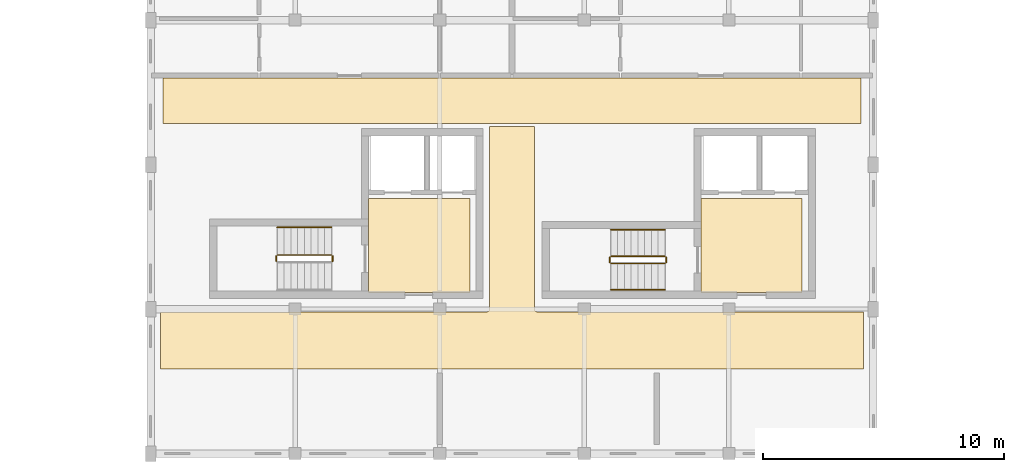
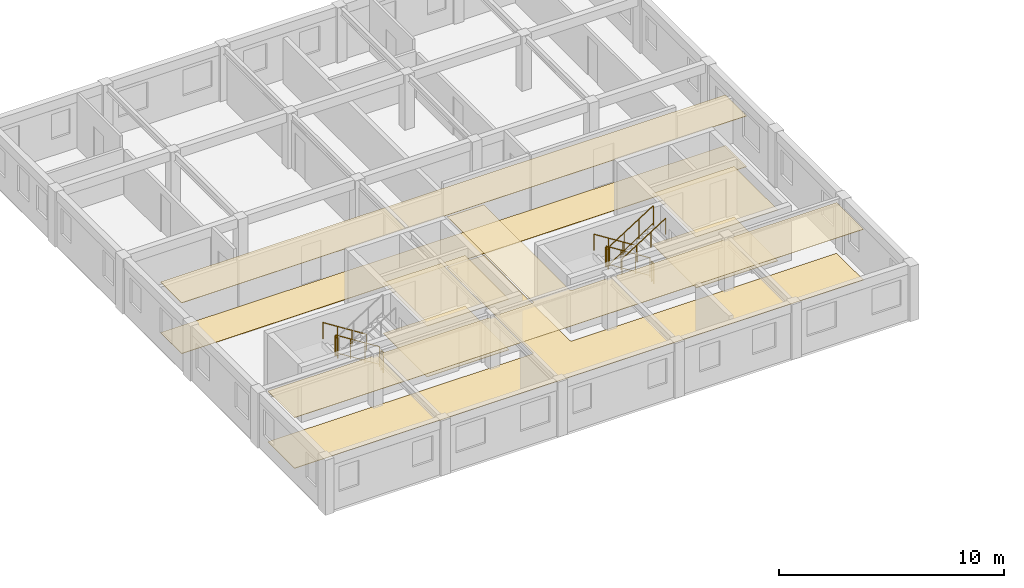
# One storey, part 17 of 17: 10 railings, 8 coverings.
"""IFC4 building model written with IfcOpenShell, lengths in metres."""

from ifc_helpers import new_model, si_unit, direction, frame, origin, origin_2d, place, context, subcontext, project, spatial, polyline, circle, outline, extrude, material, layer, layer_set, type_object, element, save


model = new_model("IFC4")

# Units and contexts
model_context = context("Model", 3, precision=1e-05, world=origin(), true_north=direction((0.0, 1.0)))
body_context = subcontext(model_context, "Body", "Model", "MODEL_VIEW")
ifc_project = project(units=[si_unit("LENGTHUNIT", "METRE"), si_unit("AREAUNIT", "SQUARE_METRE"), si_unit("VOLUMEUNIT", "CUBIC_METRE"), si_unit("PLANEANGLEUNIT", "RADIAN"), si_unit("MASSUNIT", "GRAM", prefix="KILO"), si_unit("POWERUNIT", "WATT"), si_unit("THERMODYNAMICTEMPERATUREUNIT", "KELVIN")], contexts=[model_context])

# Site, building, storey
site_placement = place(None, origin())
site = spatial("IfcSite", under=ifc_project, at=site_placement, CompositionType="ELEMENT")
building_placement = place(site_placement, origin())
building = spatial("IfcBuilding", under=site, at=building_placement, Name="Ruvembo Vaulted Housing Court", CompositionType="ELEMENT")
storey_placement = place(building_placement, frame((0.0, 0.0, 30.10009765625)))
storey = spatial("IfcBuildingStorey", under=building, at=storey_placement, Name="L09", CompositionType="ELEMENT", Elevation=30.10009765625)

# Coverings
ifc_material_1 = material(Name="Perforated Mineral-Fibre Acoustic Tile", Category="gypsum")
ifc_layer_1 = layer(ifc_material_1, 0.02001953125, Name="Perforated Mineral-Fibre Acoustic Tile")
ifc_layer_set_1 = layer_set([ifc_layer_1], Name="Perforated Mineral-Fibre Acoustic Tile")
covering_type_1 = type_object("IfcCoveringType", Name="COV-CEIL-ACOUST", PredefinedType="CEILING", material=ifc_layer_set_1)
covering_1_placement = place(storey_placement, frame((0.0, 0.0, 2.75)))
element("IfcCovering", 1, at=covering_1_placement, inside=storey, type_object=covering_type_1, Name="Protected Core Lobby B1 Ceiling", PredefinedType="CEILING", context=body_context, shape_type="SweptSolid", body=[
    extrude(outline(polyline([(61.25, 94.60009765625), (57.050048828125, 94.60009765625), (57.050048828125, 90.699951171875), (61.25, 90.699951171875), (61.25, 94.60009765625)])), origin(), (0.0, 0.0, 1.0), 0.02001953125),
])
covering_2_placement = place(storey_placement, frame((0.0, 0.0, 2.75)))
element("IfcCovering", 2, at=covering_2_placement, inside=storey, type_object=covering_type_1, Name="Protected Core Lobby B2 Ceiling", PredefinedType="CEILING", context=body_context, shape_type="SweptSolid", body=[
    extrude(outline(polyline([(75.050048828125, 94.60009765625), (70.85009765625, 94.60009765625), (70.85009765625, 90.699951171875), (75.050048828125, 90.699951171875), (75.050048828125, 94.60009765625)])), origin(), (0.0, 0.0, 1.0), 0.02001953125),
])
covering_3_placement = place(storey_placement, frame((0.0, 0.0, 2.75)))
element("IfcCovering", 3, at=covering_3_placement, inside=storey, type_object=covering_type_1, Name="Block B L09 Corridor Ceiling", PredefinedType="CEILING", context=body_context, shape_type="SweptSolid", body=[
    extrude(outline(polyline([(77.590087890625, 87.510009765625), (77.590087890625, 89.889892578125), (64.050048828125, 89.889892578125), (64.039306640625, 89.890380859375), (64.028564453125, 89.89208984375), (64.01806640625, 89.894775390625), (64.0078125, 89.8984375), (63.998046875, 89.903076171875), (63.989013671875, 89.908447265625), (63.980224609375, 89.9150390625), (63.97216796875, 89.922119140625), (63.965087890625, 89.93017578125), (63.95849609375, 89.93896484375), (63.952880859375, 89.947998046875), (63.948486328125, 89.9580078125), (63.944580078125, 89.968017578125), (63.942138671875, 89.978515625), (63.9404296875, 89.9892578125), (63.93994140625, 90.0), (63.93994140625, 97.590087890625), (62.06005859375, 97.590087890625), (62.06005859375, 90.0), (62.0595703125, 89.9892578125), (62.057861328125, 89.978515625), (62.055419921875, 89.968017578125), (62.051513671875, 89.9580078125), (62.047119140625, 89.947998046875), (62.04150390625, 89.93896484375), (62.034912109375, 89.93017578125), (62.02783203125, 89.922119140625), (62.019775390625, 89.9150390625), (62.010986328125, 89.908447265625), (62.001953125, 89.903076171875), (61.9921875, 89.8984375), (61.98193359375, 89.894775390625), (61.971435546875, 89.89208984375), (61.960693359375, 89.890380859375), (61.949951171875, 89.889892578125), (48.409912109375, 89.889892578125), (48.409912109375, 87.510009765625), (77.590087890625, 87.510009765625)])), origin(), (0.0, 0.0, 1.0), 0.02001953125),
])
covering_4_placement = place(storey_placement, frame((0.0, 0.0, 2.75)))
element("IfcCovering", 4, at=covering_4_placement, inside=storey, type_object=covering_type_1, Name="Block B L09 North Sub-Corridor Ceiling", PredefinedType="CEILING", context=body_context, shape_type="SweptSolid", body=[
    extrude(outline(polyline([(48.510009765625, 97.7099609375), (77.489990234375, 97.7099609375), (77.489990234375, 99.590087890625), (48.510009765625, 99.590087890625), (48.510009765625, 97.7099609375)])), origin(), (0.0, 0.0, 1.0), 0.02001953125),
])
ifc_material_2 = material(Name="Polished Cement-Aggregate Terrazzo", Category="stone")
ifc_layer_2 = layer(ifc_material_2, 0.02197265625, Name="Polished Cement-Aggregate Terrazzo")
ifc_layer_set_2 = layer_set([ifc_layer_2], Name="Polished Cement-Aggregate Terrazzo")
covering_type_2 = type_object("IfcCoveringType", Name="COV-FLR-CERAMIC", PredefinedType="FLOORING", material=ifc_layer_set_2)
covering_5_placement = place(storey_placement, origin())
element("IfcCovering", 5, at=covering_5_placement, inside=storey, type_object=covering_type_2, Name="Protected Core Lobby B1 Flooring", PredefinedType="FLOORING", context=body_context, shape_type="SweptSolid", body=[
    extrude(outline(polyline([(61.25, 94.60009765625), (57.050048828125, 94.60009765625), (57.050048828125, 90.699951171875), (61.25, 90.699951171875), (61.25, 94.60009765625)])), origin(), (0.0, 0.0, 1.0), 0.02197265625),
])
covering_6_placement = place(storey_placement, origin())
element("IfcCovering", 6, at=covering_6_placement, inside=storey, type_object=covering_type_2, Name="Protected Core Lobby B2 Flooring", PredefinedType="FLOORING", context=body_context, shape_type="SweptSolid", body=[
    extrude(outline(polyline([(75.050048828125, 94.60009765625), (70.85009765625, 94.60009765625), (70.85009765625, 90.699951171875), (75.050048828125, 90.699951171875), (75.050048828125, 94.60009765625)])), origin(), (0.0, 0.0, 1.0), 0.02197265625),
])
covering_7_placement = place(storey_placement, origin())
element("IfcCovering", 7, at=covering_7_placement, inside=storey, type_object=covering_type_2, Name="Block B L09 Corridor Flooring", PredefinedType="FLOORING", context=body_context, shape_type="SweptSolid", body=[
    extrude(outline(polyline([(77.590087890625, 87.510009765625), (77.590087890625, 89.889892578125), (64.050048828125, 89.889892578125), (64.039306640625, 89.890380859375), (64.028564453125, 89.89208984375), (64.01806640625, 89.894775390625), (64.0078125, 89.8984375), (63.998046875, 89.903076171875), (63.989013671875, 89.908447265625), (63.980224609375, 89.9150390625), (63.97216796875, 89.922119140625), (63.965087890625, 89.93017578125), (63.95849609375, 89.93896484375), (63.952880859375, 89.947998046875), (63.948486328125, 89.9580078125), (63.944580078125, 89.968017578125), (63.942138671875, 89.978515625), (63.9404296875, 89.9892578125), (63.93994140625, 90.0), (63.93994140625, 97.590087890625), (62.06005859375, 97.590087890625), (62.06005859375, 90.0), (62.0595703125, 89.9892578125), (62.057861328125, 89.978515625), (62.055419921875, 89.968017578125), (62.051513671875, 89.9580078125), (62.047119140625, 89.947998046875), (62.04150390625, 89.93896484375), (62.034912109375, 89.93017578125), (62.02783203125, 89.922119140625), (62.019775390625, 89.9150390625), (62.010986328125, 89.908447265625), (62.001953125, 89.903076171875), (61.9921875, 89.8984375), (61.98193359375, 89.894775390625), (61.971435546875, 89.89208984375), (61.960693359375, 89.890380859375), (61.949951171875, 89.889892578125), (48.409912109375, 89.889892578125), (48.409912109375, 87.510009765625), (77.590087890625, 87.510009765625)])), origin(), (0.0, 0.0, 1.0), 0.02197265625),
])
covering_8_placement = place(storey_placement, origin())
element("IfcCovering", 8, at=covering_8_placement, inside=storey, type_object=covering_type_2, Name="Block B L09 North Sub-Corridor Flooring", PredefinedType="FLOORING", context=body_context, shape_type="SweptSolid", body=[
    extrude(outline(polyline([(48.510009765625, 97.7099609375), (77.489990234375, 97.7099609375), (77.489990234375, 99.590087890625), (48.510009765625, 99.590087890625), (48.510009765625, 97.7099609375)])), origin(), (0.0, 0.0, 1.0), 0.02197265625),
])

# Railings
ifc_material_3 = material(Name="Painted Galvanised Steel S275", Category="steel")
ifc_layer_3 = layer(ifc_material_3, 0.06005859375, Name="Painted Galvanised Steel S275")
ifc_layer_set_3 = layer_set([ifc_layer_3], Name="Painted Galvanised Steel S275")
railing_type_1 = type_object("IfcRailingType", Name="RL-STAIR-GR1100", PredefinedType="GUARDRAIL", material=ifc_layer_set_3)
railing_1_placement = place(storey_placement, frame((55.5, 92.25, 0.177734375)))
element("IfcRailing", 9, at=railing_1_placement, inside=storey, type_object=railing_type_1, Name="L09 ST-B1 stair guard 1", PredefinedType="GUARDRAIL", context=body_context, shape_type="SweptSolid", body=[
    extrude(circle(Radius=0.02392578125, at=origin_2d()), frame((0.0, 0.0, 1.076171875), z_axis=(-0.8442293374, 0.0, 0.53598211339), x_axis=(0.0, -1.0, 0.0)), (0.0, 0.0, 1.0), 2.6533203125),
    extrude(circle(Radius=0.01806640625, at=origin_2d()), frame((0.0, 0.0, 0.1201171875), z_axis=(-0.8442293374, 0.0, 0.53598211339), x_axis=(0.0, -1.0, 0.0)), (0.0, 0.0, 1.0), 2.6533203125),
    extrude(circle(Radius=0.02099609375, at=origin_2d()), origin(), (0.0, 0.0, 1.0), 1.052001953125),
    extrude(circle(Radius=0.02099609375, at=origin_2d()), frame((-0.74658203125, 0.0, 0.47412109375)), (0.0, 0.0, 1.0), 1.052001953125),
    extrude(circle(Radius=0.02099609375, at=origin_2d()), frame((-1.493408203125, 0.0, 0.947998046875)), (0.0, 0.0, 1.0), 1.052001953125),
    extrude(circle(Radius=0.02099609375, at=origin_2d()), frame((-2.239990234375, 0.0, 1.422119140625)), (0.0, 0.0, 1.0), 1.052001953125),
])
for number, where, name in (
    (10, (53.2099609375, 92.199951171875, 1.599853515625), "L09 ST-B1 stair guard 2"),
    (11, (55.550048828125, 92.199951171875, 0.0), "L09 ST-B1 stair guard 4"),
):
    element("IfcRailing", number, at=place(storey_placement, frame(where)), inside=storey, type_object=railing_type_1, Name=name, PredefinedType="GUARDRAIL", context=body_context, shape_type="SweptSolid", body=[
        extrude(circle(Radius=0.02392578125, at=origin_2d()), frame((0.0, 0.0, 1.076171875), z_axis=(0.0, -1.0, 0.0), x_axis=(1.0, 0.0, 0.0)), (0.0, 0.0, 1.0), 0.199951171875),
        extrude(circle(Radius=0.01806640625, at=origin_2d()), frame((0.0, 0.0, 0.1201171875), z_axis=(0.0, -1.0, 0.0), x_axis=(1.0, 0.0, 0.0)), (0.0, 0.0, 1.0), 0.199951171875),
        extrude(circle(Radius=0.02099609375, at=origin_2d()), origin(), (0.0, 0.0, 1.0), 1.052001953125),
        extrude(circle(Radius=0.02099609375, at=origin_2d()), frame((0.0, -0.199951171875, 0.0)), (0.0, 0.0, 1.0), 1.052001953125),
    ])
railing_2_placement = place(storey_placement, frame((69.35009765625, 92.199951171875, 0.177734375)))
element("IfcRailing", 12, at=railing_2_placement, inside=storey, type_object=railing_type_1, Name="L09 ST-B2 stair guard 1", PredefinedType="GUARDRAIL", context=body_context, shape_type="SweptSolid", body=[
    extrude(circle(Radius=0.02392578125, at=origin_2d()), frame((0.0, 0.0, 1.076171875), z_axis=(-0.8442293374, 0.0, 0.53598211339), x_axis=(0.0, -1.0, 0.0)), (0.0, 0.0, 1.0), 2.6533203125),
    extrude(circle(Radius=0.01806640625, at=origin_2d()), frame((0.0, 0.0, 0.1201171875), z_axis=(-0.8442293374, 0.0, 0.53598211339), x_axis=(0.0, -1.0, 0.0)), (0.0, 0.0, 1.0), 2.6533203125),
    extrude(circle(Radius=0.02099609375, at=origin_2d()), origin(), (0.0, 0.0, 1.0), 1.052001953125),
    extrude(circle(Radius=0.02099609375, at=origin_2d()), frame((-0.74658203125, 0.0, 0.47412109375)), (0.0, 0.0, 1.0), 1.052001953125),
    extrude(circle(Radius=0.02099609375, at=origin_2d()), frame((-1.493408203125, 0.0, 0.947998046875)), (0.0, 0.0, 1.0), 1.052001953125),
    extrude(circle(Radius=0.02099609375, at=origin_2d()), frame((-2.239990234375, 0.0, 1.422119140625)), (0.0, 0.0, 1.0), 1.052001953125),
])
railing_3_placement = place(storey_placement, frame((67.06005859375, 92.14990234375, 1.599853515625)))
element("IfcRailing", 13, at=railing_3_placement, inside=storey, type_object=railing_type_1, Name="L09 ST-B2 stair guard 2", PredefinedType="GUARDRAIL", context=body_context, shape_type="SweptSolid", body=[
    extrude(circle(Radius=0.02392578125, at=origin_2d()), frame((0.0, 0.0, 1.076171875), z_axis=(0.0, -1.0, 0.0), x_axis=(1.0, 0.0, 0.0)), (0.0, 0.0, 1.0), 0.199951171875),
    extrude(circle(Radius=0.01806640625, at=origin_2d()), frame((0.0, 0.0, 0.1201171875), z_axis=(0.0, -1.0, 0.0), x_axis=(1.0, 0.0, 0.0)), (0.0, 0.0, 1.0), 0.199951171875),
    extrude(circle(Radius=0.02099609375, at=origin_2d()), origin(), (0.0, 0.0, 1.0), 1.052001953125),
    extrude(circle(Radius=0.02099609375, at=origin_2d()), frame((0.0, -0.199951171875, 0.0)), (0.0, 0.0, 1.0), 1.052001953125),
])
railing_4_placement = place(storey_placement, frame((67.110107421875, 91.89990234375, 1.777587890625)))
element("IfcRailing", 14, at=railing_4_placement, inside=storey, type_object=railing_type_1, Name="L09 ST-B2 stair guard 3", PredefinedType="GUARDRAIL", context=body_context, shape_type="SweptSolid", body=[
    extrude(circle(Radius=0.02392578125, at=origin_2d()), frame((0.0, 0.0, 1.076171875), z_axis=(0.84418770128, 0.0, 0.536047689118), x_axis=(0.0, 1.0, 0.0)), (0.0, 0.0, 1.0), 2.6533203125),
    extrude(circle(Radius=0.01806640625, at=origin_2d()), frame((0.0, 0.0, 0.1201171875), z_axis=(0.84418770128, 0.0, 0.536047689118), x_axis=(0.0, 1.0, 0.0)), (0.0, 0.0, 1.0), 2.6533203125),
    extrude(circle(Radius=0.02099609375, at=origin_2d()), origin(), (0.0, 0.0, 1.0), 1.052001953125),
    extrude(circle(Radius=0.02099609375, at=origin_2d()), frame((0.74658203125, 0.0, 0.47412109375)), (0.0, 0.0, 1.0), 1.052001953125),
    extrude(circle(Radius=0.02099609375, at=origin_2d()), frame((1.493408203125, 0.0, 0.9482421875)), (0.0, 0.0, 1.0), 1.052001953125),
    extrude(circle(Radius=0.02099609375, at=origin_2d()), frame((2.239990234375, 0.0, 1.42236328125)), (0.0, 0.0, 1.0), 1.052001953125),
])
railing_5_placement = place(storey_placement, frame((69.39990234375, 92.14990234375, 0.0)))
element("IfcRailing", 15, at=railing_5_placement, inside=storey, type_object=railing_type_1, Name="L09 ST-B2 stair guard 4", PredefinedType="GUARDRAIL", context=body_context, shape_type="SweptSolid", body=[
    extrude(circle(Radius=0.02392578125, at=origin_2d()), frame((0.0, 0.0, 1.076171875), z_axis=(0.0, -1.0, 0.0), x_axis=(1.0, 0.0, 0.0)), (0.0, 0.0, 1.0), 0.199951171875),
    extrude(circle(Radius=0.01806640625, at=origin_2d()), frame((0.0, 0.0, 0.1201171875), z_axis=(0.0, -1.0, 0.0), x_axis=(1.0, 0.0, 0.0)), (0.0, 0.0, 1.0), 0.199951171875),
    extrude(circle(Radius=0.02099609375, at=origin_2d()), origin(), (0.0, 0.0, 1.0), 1.052001953125),
    extrude(circle(Radius=0.02099609375, at=origin_2d()), frame((0.0, -0.199951171875, 0.0)), (0.0, 0.0, 1.0), 1.052001953125),
])
ifc_material_4 = material(Name="Brushed Stainless Steel 304", Category="steel")
ifc_layer_4 = layer(ifc_material_4, 0.050048828125, Name="Brushed Stainless Steel 304")
ifc_layer_set_4 = layer_set([ifc_layer_4], Name="Brushed Stainless Steel 304")
railing_type_2 = type_object("IfcRailingType", Name="RL-STAIR-HR920", PredefinedType="HANDRAIL", material=ifc_layer_set_4)
for number, where, name in (
    (16, (55.5, 93.39990234375, 0.359130859375), "L09 ST-B1 stair handrail 1"),
    (17, (69.35009765625, 93.300048828125, 0.359130859375), "L09 ST-B2 stair handrail 1"),
):
    element("IfcRailing", number, at=place(storey_placement, frame(where)), inside=storey, type_object=railing_type_2, Name=name, PredefinedType="HANDRAIL", context=body_context, shape_type="SweptSolid", body=[
        extrude(circle(Radius=0.02392578125, at=origin_2d()), frame((0.0, 0.0, 0.8759765625), z_axis=(-0.84418770128, 0.0, 0.536047689118), x_axis=(0.0, -1.0, 0.0)), (0.0, 0.0, 1.0), 2.6533203125),
        extrude(circle(Radius=0.02099609375, at=origin_2d()), origin(), (0.0, 0.0, 1.0), 0.851806640625),
        extrude(circle(Radius=0.02099609375, at=origin_2d()), frame((-0.74658203125, 0.0, 0.47412109375)), (0.0, 0.0, 1.0), 0.851806640625),
        extrude(circle(Radius=0.02099609375, at=origin_2d()), frame((-1.493408203125, 0.0, 0.9482421875)), (0.0, 0.0, 1.0), 0.851806640625),
        extrude(circle(Radius=0.02099609375, at=origin_2d()), frame((-2.239990234375, 0.0, 1.42236328125)), (0.0, 0.0, 1.0), 0.851806640625),
    ])
railing_6_placement = place(storey_placement, frame((67.110107421875, 90.800048828125, 1.959228515625)))
element("IfcRailing", 18, at=railing_6_placement, inside=storey, type_object=railing_type_2, Name="L09 ST-B2 stair handrail 2", PredefinedType="HANDRAIL", context=body_context, shape_type="SweptSolid", body=[
    extrude(circle(Radius=0.02392578125, at=origin_2d()), frame((0.0, 0.0, 0.8759765625), z_axis=(0.8442293374, 0.0, 0.53598211339), x_axis=(0.0, 1.0, 0.0)), (0.0, 0.0, 1.0), 2.6533203125),
    extrude(circle(Radius=0.02099609375, at=origin_2d()), origin(), (0.0, 0.0, 1.0), 0.851806640625),
    extrude(circle(Radius=0.02099609375, at=origin_2d()), frame((0.74658203125, 0.0, 0.47412109375)), (0.0, 0.0, 1.0), 0.851806640625),
    extrude(circle(Radius=0.02099609375, at=origin_2d()), frame((1.493408203125, 0.0, 0.947998046875)), (0.0, 0.0, 1.0), 0.851806640625),
    extrude(circle(Radius=0.02099609375, at=origin_2d()), frame((2.239990234375, 0.0, 1.422119140625)), (0.0, 0.0, 1.0), 0.851806640625),
])

save(model, "model.ifc")
